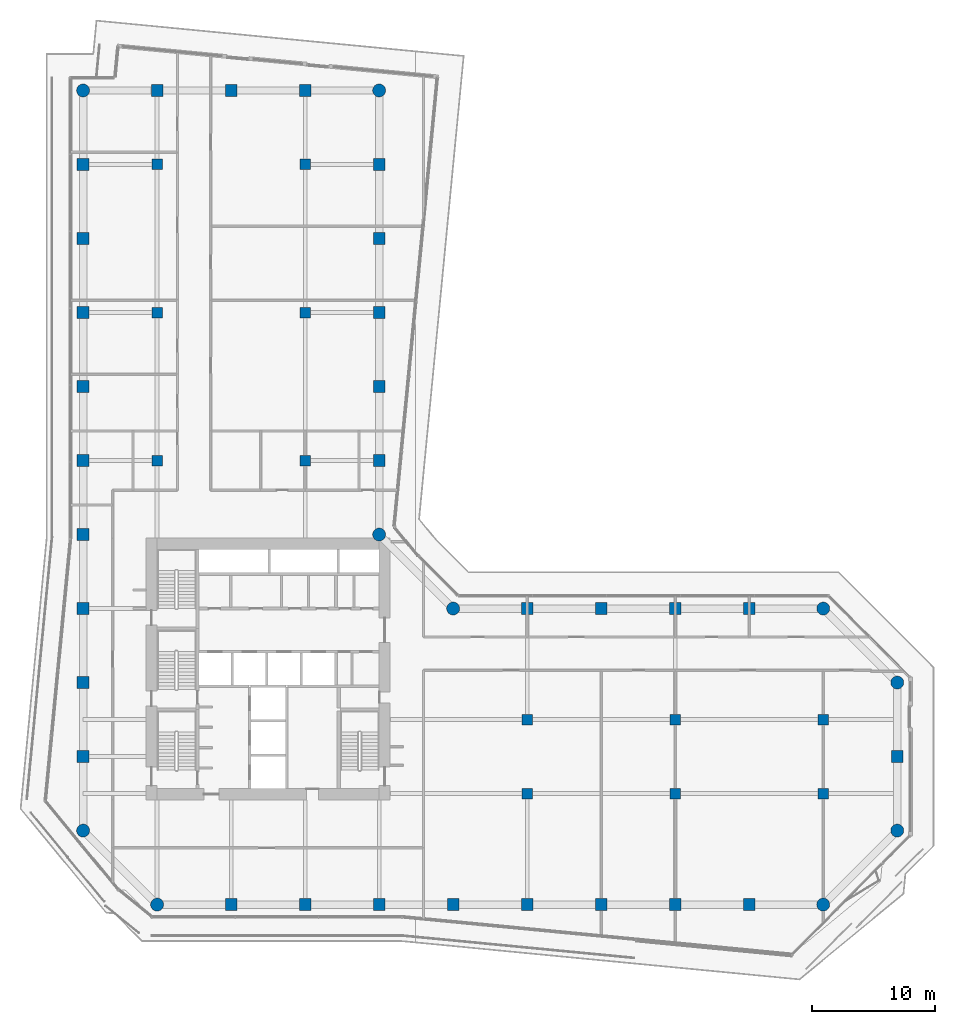
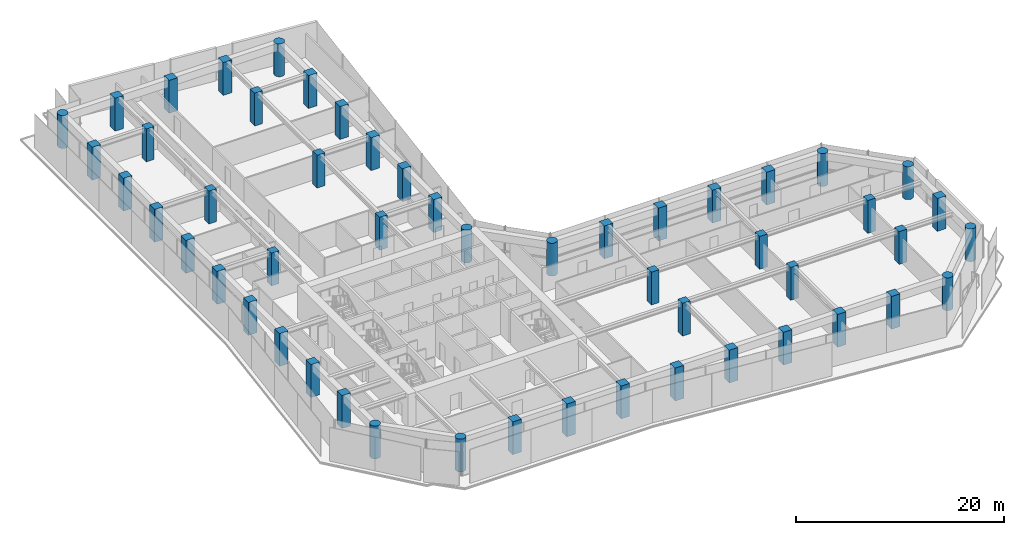
# One storey, part 1 of 31: 52 columns.
"""IFC4 building model written with IfcOpenShell, lengths in metres."""

from ifc_helpers import new_model, si_unit, direction, frame, origin, origin_2d, place, context, subcontext, project, spatial, rectangle, circle, extrude, material, material_profile, profile_set, type_object, element, save


model = new_model("IFC4")

# Units and contexts
model_context = context("Model", 3, precision=1e-05, world=origin(), true_north=direction((0.0, 1.0)))
body_context = subcontext(model_context, "Body", "Model", "MODEL_VIEW")
ifc_project = project(units=[si_unit("LENGTHUNIT", "METRE"), si_unit("AREAUNIT", "SQUARE_METRE"), si_unit("VOLUMEUNIT", "CUBIC_METRE"), si_unit("PLANEANGLEUNIT", "RADIAN"), si_unit("MASSUNIT", "GRAM", prefix="KILO")], contexts=[model_context])

# Site, building, storey
site_placement = place(None, origin())
site = spatial("IfcSite", under=ifc_project, at=site_placement, CompositionType="ELEMENT")
building_placement = place(site_placement, origin())
building = spatial("IfcBuilding", under=site, at=building_placement, Name="Welwitschia Terrace Campus", CompositionType="ELEMENT")
storey_placement = place(building_placement, frame((0.0, 0.0, 29.0)))
storey = spatial("IfcBuildingStorey", under=building, at=storey_placement, Name="L06", CompositionType="ELEMENT", Elevation=29.0)

# Columns
ifc_material_1 = material(Name="Concrete C60/75", Category="concrete")
ifc_material_profile_1 = material_profile(ifc_material_1, circle(Radius=0.52490234375, at=origin_2d()))
ifc_profile_set_1 = profile_set([ifc_material_profile_1], Name="Concrete C60/75")
column_type_1 = type_object("IfcColumnType", Name="Corner column 1050 dia", PredefinedType="COLUMN", material=ifc_profile_set_1)
for number, where, z_axis, x_axis, name in (
    (1, (0.0, 2.0, 0.0), (0.0, 0.0, 1.0), (1.0, 0.0, 0.0), "Column C5"),
    (2, (0.0, 62.0, 0.0), (0.0, 0.0, 1.0), (1.0, 0.0, 0.0), "Column C5"),
    (3, (6.0, -4.0, 0.0), (0.0, 0.0, 1.0), (1.0, 0.0, 0.0), "Column C5"),
    (4, (24.0, 26.0, 0.0), (0.0, 0.0, 1.0), (1.0, 0.0, 0.0), "Column C5"),
    (5, (24.0, 62.0, 0.0), (0.0, 0.0, 1.0), (1.0, 0.0, 0.0), "Column C5"),
    (6, (30.0, 20.0, 0.0), (0.0, 0.0, 1.0), (1.0, 0.0, 0.0), "Column C5"),
    (7, (60.0, -4.0, 0.0), (0.0, 0.0, 1.0), (1.0, 0.0, 0.0), "Column C5"),
    (8, (60.0, 20.0, 0.0), (0.0, 0.0, 1.0), (1.0, 0.0, 0.0), "Column C5"),
    (9, (66.0, 2.0, 0.0), (0.0, 0.0, 1.0), (1.0, 0.0, 0.0), "Column C5"),
    (10, (66.0, 14.0, 0.0), (0.0, 0.0, 1.0), (1.0, 0.0, 0.0), "Column C5"),
):
    element("IfcColumn", number, at=place(storey_placement, frame(where, z_axis=z_axis, x_axis=x_axis)), inside=storey, type_object=column_type_1, Name=name, PredefinedType="COLUMN", context=body_context, shape_type="SweptSolid", body=[
        extrude(circle(Radius=0.52490234375, at=origin_2d()), origin(), (0.0, 0.0, 1.0), 3.85009765625),
    ])
ifc_material_2 = material(Name="Concrete C60/75", Category="concrete")
ifc_material_profile_2 = material_profile(ifc_material_2, rectangle(XDim=0.85009765625, YDim=0.85009765625, at=origin_2d()))
ifc_profile_set_2 = profile_set([ifc_material_profile_2], Name="Concrete C60/75")
column_type_2 = type_object("IfcColumnType", Name="Interior column 850x850", PredefinedType="COLUMN", material=ifc_profile_set_2)
for number, where, z_axis, x_axis, name in (
    (11, (6.0, 32.0, 0.0), (0.0, 0.0, 1.0), (1.0, 0.0, 0.0), "Column C7"),
    (12, (6.0, 44.0, 0.0), (0.0, 0.0, 1.0), (1.0, 0.0, 0.0), "Column C7"),
    (13, (6.0, 56.0, 0.0), (0.0, 0.0, 1.0), (1.0, 0.0, 0.0), "Column C7"),
    (14, (18.0, 32.0, 0.0), (0.0, 0.0, 1.0), (1.0, 0.0, 0.0), "Column C7"),
    (15, (18.0, 44.0, 0.0), (0.0, 0.0, 1.0), (1.0, 0.0, 0.0), "Column C7"),
    (16, (18.0, 56.0, 0.0), (0.0, 0.0, 1.0), (1.0, 0.0, 0.0), "Column C7"),
    (17, (36.0, 5.0, 0.0), (0.0, 0.0, 1.0), (1.0, 0.0, 0.0), "Column C7"),
    (18, (36.0, 11.0, 0.0), (0.0, 0.0, 1.0), (1.0, 0.0, 0.0), "Column C7"),
    (19, (48.0, 5.0, 0.0), (0.0, 0.0, 1.0), (1.0, 0.0, 0.0), "Column C7"),
    (20, (48.0, 11.0, 0.0), (0.0, 0.0, 1.0), (1.0, 0.0, 0.0), "Column C7"),
    (21, (60.0, 5.0, 0.0), (0.0, 0.0, 1.0), (1.0, 0.0, 0.0), "Column C7"),
    (22, (60.0, 11.0, 0.0), (0.0, 0.0, 1.0), (1.0, 0.0, 0.0), "Column C7"),
):
    element("IfcColumn", number, at=place(storey_placement, frame(where, z_axis=z_axis, x_axis=x_axis)), inside=storey, type_object=column_type_2, Name=name, PredefinedType="COLUMN", context=body_context, shape_type="SweptSolid", body=[
        extrude(rectangle(XDim=0.85009765625, YDim=0.85009765625, at=origin_2d()), origin(), (0.0, 0.0, 1.0), 3.85009765625),
    ])
ifc_material_3 = material(Name="Concrete C60/75", Category="concrete")
ifc_material_profile_3 = material_profile(ifc_material_3, rectangle(XDim=0.949951171875, YDim=0.949951171875, at=origin_2d()))
ifc_profile_set_3 = profile_set([ifc_material_profile_3], Name="Concrete C60/75")
column_type_3 = type_object("IfcColumnType", Name="Ring column 950x950", PredefinedType="COLUMN", material=ifc_profile_set_3)
for number, where, z_axis, x_axis, name in (
    (23, (0.0, 8.0, 0.0), (0.0, 0.0, 1.0), (1.0, 0.0, 0.0), "Column C6"),
    (24, (0.0, 14.0, 0.0), (0.0, 0.0, 1.0), (1.0, 0.0, 0.0), "Column C6"),
    (25, (0.0, 20.0, 0.0), (0.0, 0.0, 1.0), (1.0, 0.0, 0.0), "Column C6"),
    (26, (0.0, 26.0, 0.0), (0.0, 0.0, 1.0), (1.0, 0.0, 0.0), "Column C6"),
    (27, (0.0, 32.0, 0.0), (0.0, 0.0, 1.0), (1.0, 0.0, 0.0), "Column C6"),
    (28, (0.0, 38.0, 0.0), (0.0, 0.0, 1.0), (1.0, 0.0, 0.0), "Column C6"),
    (29, (0.0, 44.0, 0.0), (0.0, 0.0, 1.0), (1.0, 0.0, 0.0), "Column C6"),
    (30, (0.0, 50.0, 0.0), (0.0, 0.0, 1.0), (1.0, 0.0, 0.0), "Column C6"),
    (31, (0.0, 56.0, 0.0), (0.0, 0.0, 1.0), (1.0, 0.0, 0.0), "Column C6"),
    (32, (6.0, 62.0, 0.0), (0.0, 0.0, 1.0), (1.0, 0.0, 0.0), "Column C6"),
    (33, (12.0, -4.0, 0.0), (0.0, 0.0, 1.0), (1.0, 0.0, 0.0), "Column C6"),
    (34, (12.0, 62.0, 0.0), (0.0, 0.0, 1.0), (1.0, 0.0, 0.0), "Column C6"),
    (35, (18.0, -4.0, 0.0), (0.0, 0.0, 1.0), (1.0, 0.0, 0.0), "Column C6"),
    (36, (18.0, 62.0, 0.0), (0.0, 0.0, 1.0), (1.0, 0.0, 0.0), "Column C6"),
    (37, (24.0, -4.0, 0.0), (0.0, 0.0, 1.0), (1.0, 0.0, 0.0), "Column C6"),
    (38, (24.0, 32.0, 0.0), (0.0, 0.0, 1.0), (1.0, 0.0, 0.0), "Column C6"),
    (39, (24.0, 38.0, 0.0), (0.0, 0.0, 1.0), (1.0, 0.0, 0.0), "Column C6"),
    (40, (24.0, 44.0, 0.0), (0.0, 0.0, 1.0), (1.0, 0.0, 0.0), "Column C6"),
    (41, (24.0, 50.0, 0.0), (0.0, 0.0, 1.0), (1.0, 0.0, 0.0), "Column C6"),
    (42, (24.0, 56.0, 0.0), (0.0, 0.0, 1.0), (1.0, 0.0, 0.0), "Column C6"),
    (43, (30.0, -4.0, 0.0), (0.0, 0.0, 1.0), (1.0, 0.0, 0.0), "Column C6"),
    (44, (36.0, -4.0, 0.0), (0.0, 0.0, 1.0), (1.0, 0.0, 0.0), "Column C6"),
    (45, (36.0, 20.0, 0.0), (0.0, 0.0, 1.0), (1.0, 0.0, 0.0), "Column C6"),
    (46, (42.0, -4.0, 0.0), (0.0, 0.0, 1.0), (1.0, 0.0, 0.0), "Column C6"),
    (47, (42.0, 20.0, 0.0), (0.0, 0.0, 1.0), (1.0, 0.0, 0.0), "Column C6"),
    (48, (48.0, -4.0, 0.0), (0.0, 0.0, 1.0), (1.0, 0.0, 0.0), "Column C6"),
    (49, (48.0, 20.0, 0.0), (0.0, 0.0, 1.0), (1.0, 0.0, 0.0), "Column C6"),
    (50, (54.0, -4.0, 0.0), (0.0, 0.0, 1.0), (1.0, 0.0, 0.0), "Column C6"),
    (51, (54.0, 20.0, 0.0), (0.0, 0.0, 1.0), (1.0, 0.0, 0.0), "Column C6"),
    (52, (66.0, 8.0, 0.0), (0.0, 0.0, 1.0), (1.0, 0.0, 0.0), "Column C6"),
):
    element("IfcColumn", number, at=place(storey_placement, frame(where, z_axis=z_axis, x_axis=x_axis)), inside=storey, type_object=column_type_3, Name=name, PredefinedType="COLUMN", context=body_context, shape_type="SweptSolid", body=[
        extrude(rectangle(XDim=0.949951171875, YDim=0.949951171875, at=origin_2d()), origin(), (0.0, 0.0, 1.0), 3.85009765625),
    ])

save(model, "model.ifc")
